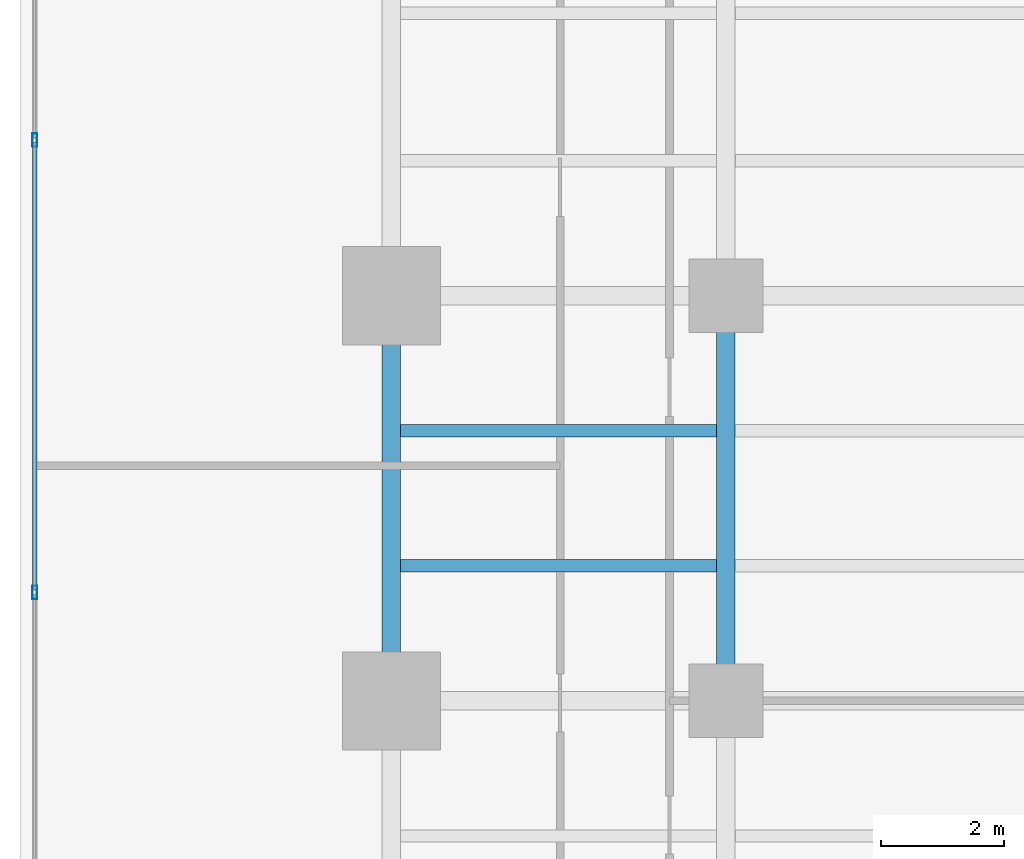
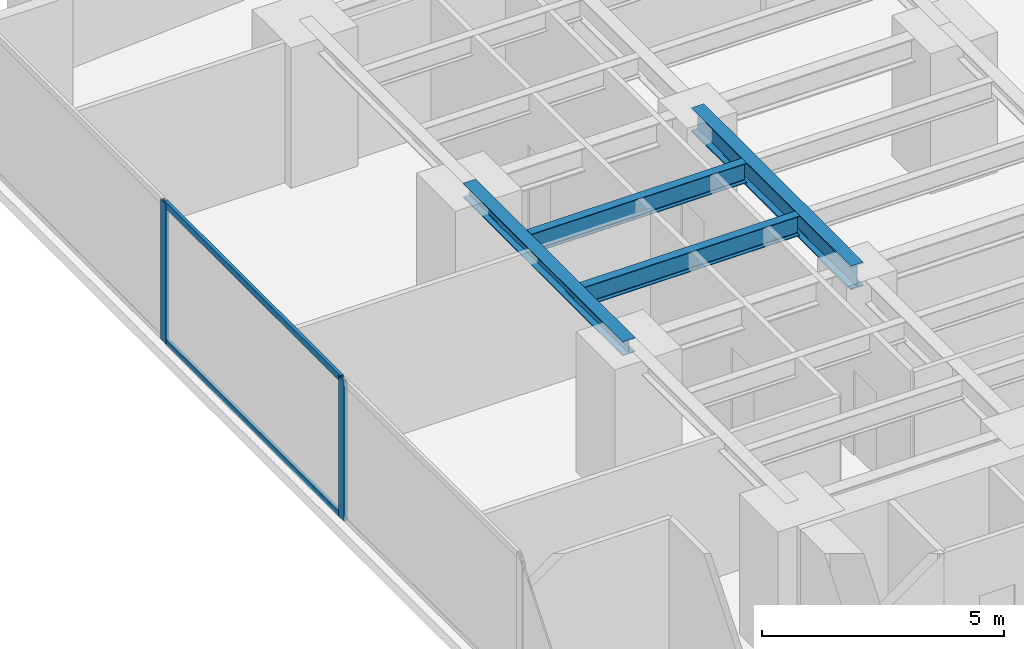
# One storey, part 15 of 29: 4 beams, 4 members, 1 element without a shape of its own.
"""IFC4 building model written with IfcOpenShell, lengths in metres."""

from ifc_helpers import new_model, si_unit, direction, frame, origin, origin_with_axes, origin_2d, place, context, subcontext, project, spatial, hollow_rectangle, i_section, extrude, source, transform, mapped, material, layer, layer_set, material_profile, profile_set, type_object, element, aggregate, save


model = new_model("IFC4")

# Units and contexts
model_context = context("Model", 3, precision=1e-05, world=origin(), true_north=direction((0.0, 1.0)))
body_context = subcontext(model_context, "Body", "Model", "MODEL_VIEW")
ifc_project = project(units=[si_unit("LENGTHUNIT", "METRE"), si_unit("AREAUNIT", "SQUARE_METRE"), si_unit("VOLUMEUNIT", "CUBIC_METRE"), si_unit("PLANEANGLEUNIT", "RADIAN"), si_unit("MASSUNIT", "GRAM", prefix="KILO")], contexts=[model_context])

# Site, building, storey
site_placement = place(None, origin())
site = spatial("IfcSite", under=ifc_project, at=site_placement, CompositionType="ELEMENT")
building_placement = place(site_placement, origin())
building = spatial("IfcBuilding", under=site, at=building_placement, Name="Kolvaren Waterfront Exchange", CompositionType="ELEMENT")
storey_placement = place(building_placement, frame((0.0, 0.0, 37.199951171875)))
storey = spatial("IfcBuildingStorey", under=building, at=storey_placement, Name="L09", CompositionType="ELEMENT", Elevation=37.199951171875)

# Beams
ifc_material_1 = material(Name="Steel S355", Category="steel")
ifc_material_profile_1 = material_profile(ifc_material_1, i_section(OverallWidth=0.300048828125, OverallDepth=0.360107421875, WebThickness=0.012451171875, FlangeThickness=0.0224609375, FilletRadius=0.027099609375, at=origin_2d()), Name="HEB360")
ifc_profile_set_1 = profile_set([ifc_material_profile_1], Name="Steel S355")
beam_type_1 = type_object("IfcBeamType", Name="STR-BM-HEB360", PredefinedType="SPANDREL", material=ifc_profile_set_1)
beam_1_placement = place(storey_placement, frame((7.449951171875, 31.199951171875, 3.360107421875), z_axis=(0.0, 1.0, 0.0), x_axis=(-1.0, 0.0, 0.0)))
element("IfcBeam", 1, at=beam_1_placement, inside=storey, type_object=beam_type_1, Name="L09 north-arm edge beam 2", PredefinedType="SPANDREL", context=body_context, shape_type="SweptSolid", body=[
    extrude(i_section(OverallWidth=0.300048828125, OverallDepth=0.360107421875, WebThickness=0.012451171875, FlangeThickness=0.0224609375, FilletRadius=0.027099609375, at=origin_2d()), origin(), (0.0, 0.0, 1.0), 6.60009765625),
])
ifc_material_profile_2 = material_profile(ifc_material_1, i_section(OverallWidth=0.300048828125, OverallDepth=0.60009765625, WebThickness=0.015380859375, FlangeThickness=0.030029296875, FilletRadius=0.027099609375, at=origin_2d()), Name="HEB600")
ifc_profile_set_2 = profile_set([ifc_material_profile_2], Name="Steel S355")
beam_type_2 = type_object("IfcBeamType", Name="STR-BM-HEB600", PredefinedType="BEAM", material=ifc_profile_set_2)
beam_2_placement = place(storey_placement, frame((12.89990234375, 31.199951171875, 3.239990234375), z_axis=(0.0, 1.0, 0.0), x_axis=(-1.0, 0.0, 0.0)))
element("IfcBeam", 2, at=beam_2_placement, inside=storey, type_object=beam_type_2, Name="L09 north-arm edge beam 2", PredefinedType="BEAM", context=body_context, shape_type="SweptSolid", body=[
    extrude(i_section(OverallWidth=0.300048828125, OverallDepth=0.60009765625, WebThickness=0.015380859375, FlangeThickness=0.030029296875, FilletRadius=0.027099609375, at=origin_2d()), origin(), (0.0, 0.0, 1.0), 6.60009765625),
])
ifc_material_profile_3 = material_profile(ifc_material_1, i_section(OverallWidth=0.199951171875, OverallDepth=0.5, WebThickness=0.01025390625, FlangeThickness=0.01611328125, FilletRadius=0.02099609375, at=origin_2d()), Name="IPE500")
ifc_profile_set_3 = profile_set([ifc_material_profile_3], Name="Steel S355")
beam_type_3 = type_object("IfcBeamType", Name="STR-BM-IPE500", PredefinedType="JOIST", material=ifc_profile_set_3)
for number, where, z_axis, x_axis, name in (
    (3, (7.60205078125, 33.39990234375, 3.2900390625), (1.0, 0.0, 0.0), (0.0, 1.0, 0.0), "L09 north-arm composite joist 3A"),
    (4, (7.60205078125, 35.60009765625, 3.2900390625), (1.0, 0.0, 0.0), (0.0, 1.0, 0.0), "L09 north-arm composite joist 4A"),
):
    element("IfcBeam", number, at=place(storey_placement, frame(where, z_axis=z_axis, x_axis=x_axis)), inside=storey, type_object=beam_type_3, Name=name, PredefinedType="JOIST", context=body_context, shape_type="SweptSolid", body=[
        extrude(i_section(OverallWidth=0.199951171875, OverallDepth=0.5, WebThickness=0.01025390625, FlangeThickness=0.01611328125, FilletRadius=0.02099609375, at=origin_2d()), origin(), (0.0, 0.0, 1.0), 5.14599609375),
    ])

# Curtain wall, members
ifc_material_2 = material(Name="Anodised aluminium 6063-T6", Category="aluminium")
ifc_layer = layer(ifc_material_2, 0.219970703125, Name="Anodised aluminium 6063-T6")
ifc_layer_set = layer_set([ifc_layer], Name="Anodised aluminium 6063-T6")
curtain_wall_type = type_object("IfcCurtainWallType", Name="ARC-CW-SYS2", PredefinedType="USERDEFINED", material=ifc_layer_set)
curtain_wall_placement = place(storey_placement, origin())
curtain_wall = element("IfcCurtainWall", 5, at=curtain_wall_placement, inside=storey, type_object=curtain_wall_type, Name="L09 stick curtain wall CW2 (CW-L09-W)", ObjectType="STICK CURTAIN WALL", PredefinedType="USERDEFINED")
ifc_material_profile_4 = material_profile(ifc_material_2, hollow_rectangle(XDim=0.074951171875, YDim=0.159912109375, WallThickness=0.00439453125, at=origin_2d()), Name="ALU-TRN-160x75x4.5")
ifc_profile_set_4 = profile_set([ifc_material_profile_4], Name="Anodised aluminium 6063-T6")
member_type_1 = type_object("IfcMemberType", Name="ARC-CWT-160", PredefinedType="USERDEFINED", material=ifc_profile_set_4)
shared_shape_1 = source(origin_with_axes(), body_context, "Body", "SweptSolid", [
    extrude(hollow_rectangle(XDim=0.074951171875, YDim=0.159912109375, WallThickness=0.00439453125, at=origin_2d()), origin(), (0.0, 0.0, 1.0), 7.28662109375),
])
member_1_placement = place(storey_placement, frame((1.639892578125, 33.006591796875, 0.03759765625), z_axis=(0.0, 1.0, 0.0), x_axis=(-1.0, 0.0, 0.0)))
member_1 = element("IfcMember", 6, at=member_1_placement, type_object=member_type_1, Name="CW2 transom 5.1", ObjectType="TRANSOM", PredefinedType="USERDEFINED", context=body_context, shape_type="MappedRepresentation", body=[
    mapped(shared_shape_1, transform((0.0, 0.0, 0.0), x_axis=(1.0, 0.0, 0.0), y_axis=(0.0, 1.0, 0.0), z_axis=(0.0, 0.0, 1.0), scale=1.0)),
])
member_2_placement = place(storey_placement, frame((1.639892578125, 33.006591796875, 3.50244140625), z_axis=(0.0, 1.0, 0.0), x_axis=(-1.0, 0.0, 0.0)))
member_2 = element("IfcMember", 7, at=member_2_placement, type_object=member_type_1, Name="CW2 transom 5.2", ObjectType="TRANSOM", PredefinedType="USERDEFINED", context=body_context, shape_type="MappedRepresentation", body=[
    mapped(shared_shape_1, transform((0.0, 0.0, 0.0), x_axis=(1.0, 0.0, 0.0), y_axis=(0.0, 1.0, 0.0), z_axis=(0.0, 0.0, 1.0), scale=1.0)),
])
ifc_material_profile_5 = material_profile(ifc_material_2, hollow_rectangle(XDim=0.080078125, YDim=0.219970703125, WallThickness=0.0048828125, at=origin_2d()), Name="ALU-MUL-220x80x5")
ifc_profile_set_5 = profile_set([ifc_material_profile_5], Name="Anodised aluminium 6063-T6")
member_type_2 = type_object("IfcMemberType", Name="ARC-CWM-220", PredefinedType="MULLION", material=ifc_profile_set_5)
shared_shape_2 = source(origin_with_axes(), body_context, "Body", "SweptSolid", [
    extrude(hollow_rectangle(XDim=0.080078125, YDim=0.219970703125, WallThickness=0.0048828125, at=origin_2d()), origin(), (0.0, 0.0, 1.0), 3.5400390625),
])
member_3_placement = place(storey_placement, frame((1.639892578125, 32.966552734375, 0.0), z_axis=(0.0, 0.0, 1.0), x_axis=(-1.0, 0.0, 0.0)))
member_3 = element("IfcMember", 8, at=member_3_placement, type_object=member_type_2, Name="CW2 mullion 5", PredefinedType="MULLION", context=body_context, shape_type="MappedRepresentation", body=[
    mapped(shared_shape_2, transform((0.0, 0.0, 0.0), x_axis=(1.0, 0.0, 0.0), y_axis=(0.0, 1.0, 0.0), z_axis=(0.0, 0.0, 1.0), scale=1.0)),
])
member_4_placement = place(storey_placement, frame((1.639892578125, 40.333251953125, 0.0), z_axis=(0.0, 0.0, 1.0), x_axis=(-1.0, 0.0, 0.0)))
member_4 = element("IfcMember", 9, at=member_4_placement, type_object=member_type_2, Name="CW2 mullion 6", PredefinedType="MULLION", context=body_context, shape_type="MappedRepresentation", body=[
    mapped(shared_shape_2, transform((0.0, 0.0, 0.0), x_axis=(1.0, 0.0, 0.0), y_axis=(0.0, 1.0, 0.0), z_axis=(0.0, 0.0, 1.0), scale=1.0)),
])
aggregate(curtain_wall, [member_3, member_4, member_1, member_2])

save(model, "model.ifc")
